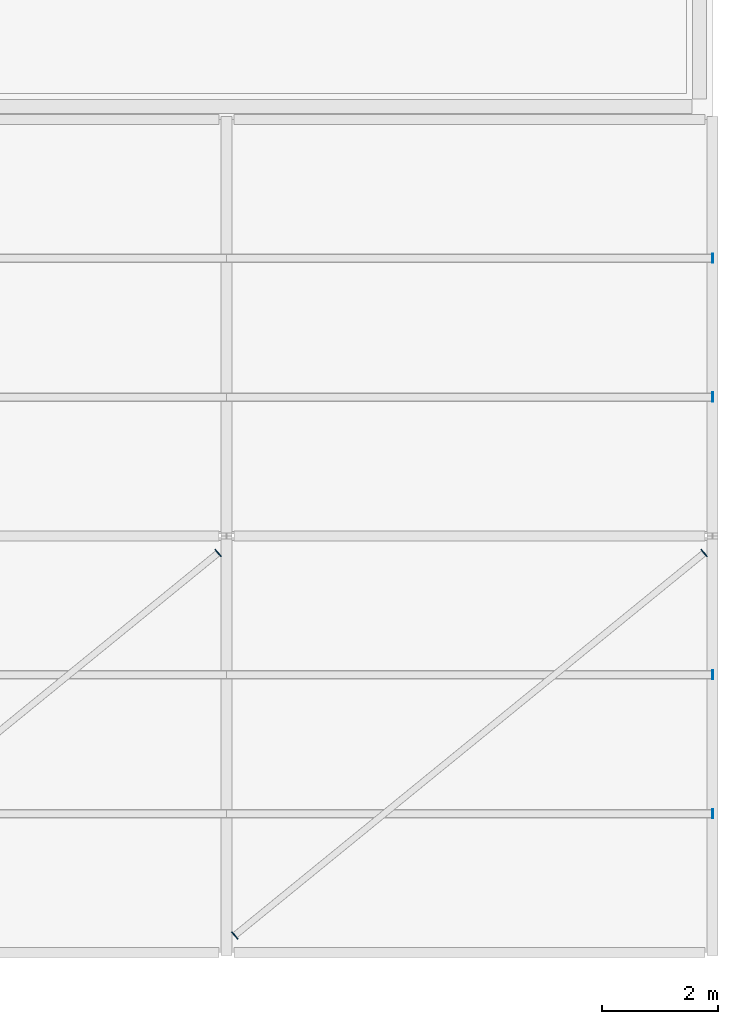
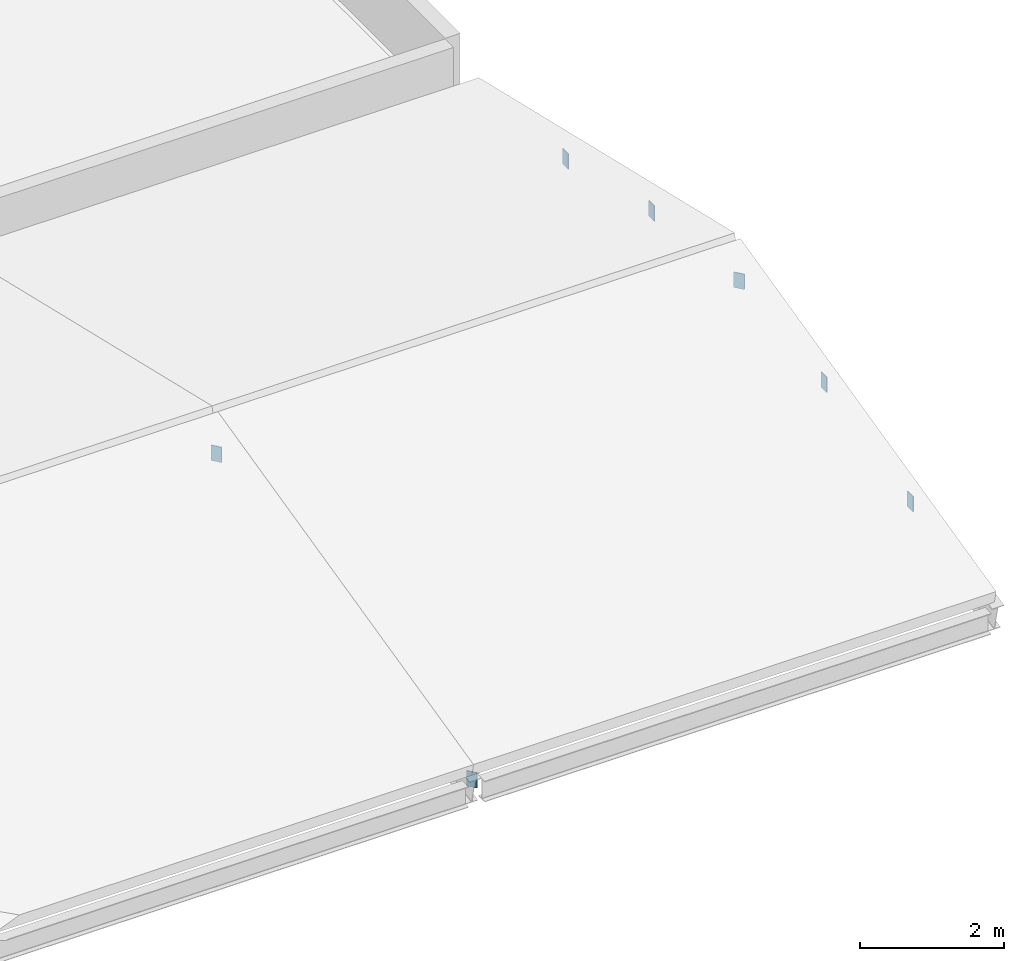
# One storey, part 38 of 79: 7 plates.
"""IFC4 building model written with IfcOpenShell, lengths in metres."""

from ifc_helpers import new_model, si_unit, derived_unit, direction, frame, origin, origin_2d, place, context, subcontext, project, spatial, rectangle, extrude, material, layer, layer_set, type_object, element, save


model = new_model("IFC4")

# Units and contexts
model_context = context("Model", 3, precision=1e-05, world=origin(), true_north=direction((0.0, 1.0)))
body_context = subcontext(model_context, "Body", "Model", "MODEL_VIEW")
ifc_project = project(units=[si_unit("LENGTHUNIT", "METRE"), si_unit("AREAUNIT", "SQUARE_METRE"), si_unit("VOLUMEUNIT", "CUBIC_METRE"), si_unit("PLANEANGLEUNIT", "RADIAN"), si_unit("MASSUNIT", "GRAM", prefix="KILO"), derived_unit("THERMALTRANSMITTANCEUNIT", [(si_unit("POWERUNIT", "WATT"), 1), (si_unit("LENGTHUNIT", "METRE"), -2), (si_unit("THERMODYNAMICTEMPERATUREUNIT", "KELVIN"), -1)])], contexts=[model_context])

# Site, building, storey
site_placement = place(None, origin())
site = spatial("IfcSite", under=ifc_project, at=site_placement, CompositionType="ELEMENT")
building_placement = place(site_placement, origin())
building = spatial("IfcBuilding", under=site, at=building_placement, Name="Veybourne Emporium", CompositionType="ELEMENT")
storey_placement = place(building_placement, frame((0.0, 0.0, 18.89990234375)))
storey = spatial("IfcBuildingStorey", under=building, at=storey_placement, Name="L04", CompositionType="ELEMENT", Elevation=18.89990234375)

# Plates
ifc_material = material(Name="Steel S355", Category="steel")
ifc_layer = layer(ifc_material, 0.01611328125)
ifc_layer_set = layer_set([ifc_layer], Name="Steel S355")
plate_type = type_object("IfcPlateType", Name="NodePlate_CP-01", PredefinedType="USERDEFINED", material=ifc_layer_set)
for number, where, z_axis, x_axis, name in (
    (1, (125.856201171875, 6.905029296875, 1.59130859375), (0.0, 0.0, 1.0), (0.77527531223, 0.631623456061, 0.0), "Welded hollow-section end cap plate CP-01 (FHBR-03-B)"),
    (2, (134.407958984375, 2.39990234375, 0.52001953125), (0.0, 0.0, 1.0), (1.0, 0.0, 0.0), "Welded hollow-section end cap plate CP-01 (FHPUR-E-1)"),
    (3, (134.407958984375, 4.800048828125, 1.09033203125), (0.0, 0.0, 1.0), (1.0, 0.0, 0.0), "Welded hollow-section end cap plate CP-01 (FHPUR-E-2)"),
    (4, (134.407958984375, 9.60009765625, 1.09033203125), (0.0, 0.0, 1.0), (1.0, 0.0, 0.0), "Welded hollow-section end cap plate CP-01 (FHPUR-E-3)"),
    (5, (134.407958984375, 12.0, 0.52001953125), (0.0, 0.0, 1.0), (1.0, 0.0, 0.0), "Welded hollow-section end cap plate CP-01 (FHPUR-E-4)"),
    (6, (126.143798828125, 0.294921875, -0.03125), (0.0, 0.0, 1.0), (0.77527531223, 0.631623456061, 0.0), "Welded hollow-section end cap plate CP-01 (FHBR-04-A)"),
    (7, (134.256103515625, 6.905029296875, 1.59130859375), (0.0, 0.0, 1.0), (0.77527531223, 0.631623456061, 0.0), "Welded hollow-section end cap plate CP-01 (FHBR-04-B)"),
):
    element("IfcPlate", number, at=place(storey_placement, frame(where, z_axis=z_axis, x_axis=x_axis)), inside=storey, type_object=plate_type, Name=name, ObjectType="CAP_PLATE", PredefinedType="USERDEFINED", context=body_context, shape_type="SweptSolid", body=[
        extrude(rectangle(XDim=0.01611328125, YDim=0.159912109375, at=origin_2d()), origin(), (0.0, 0.0, 1.0), 0.260009765625),
    ])

save(model, "model.ifc")
